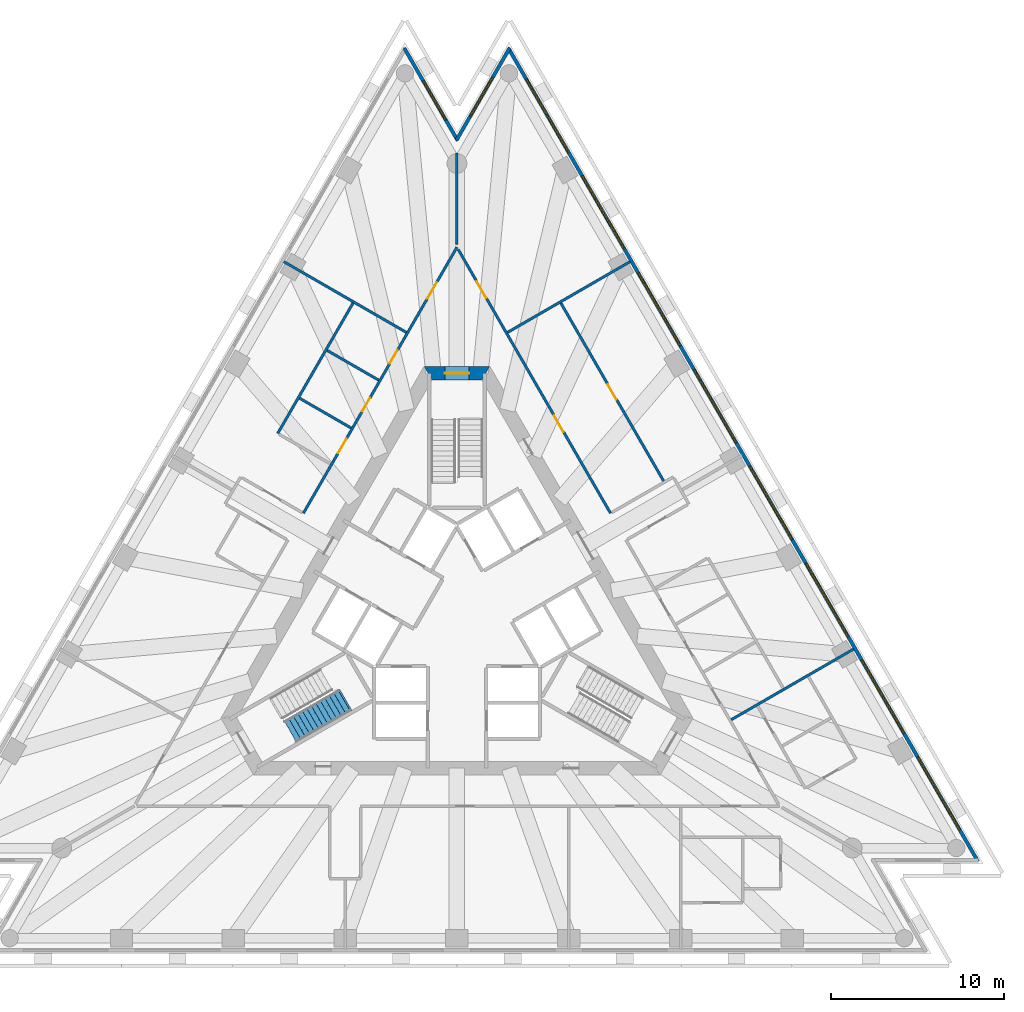
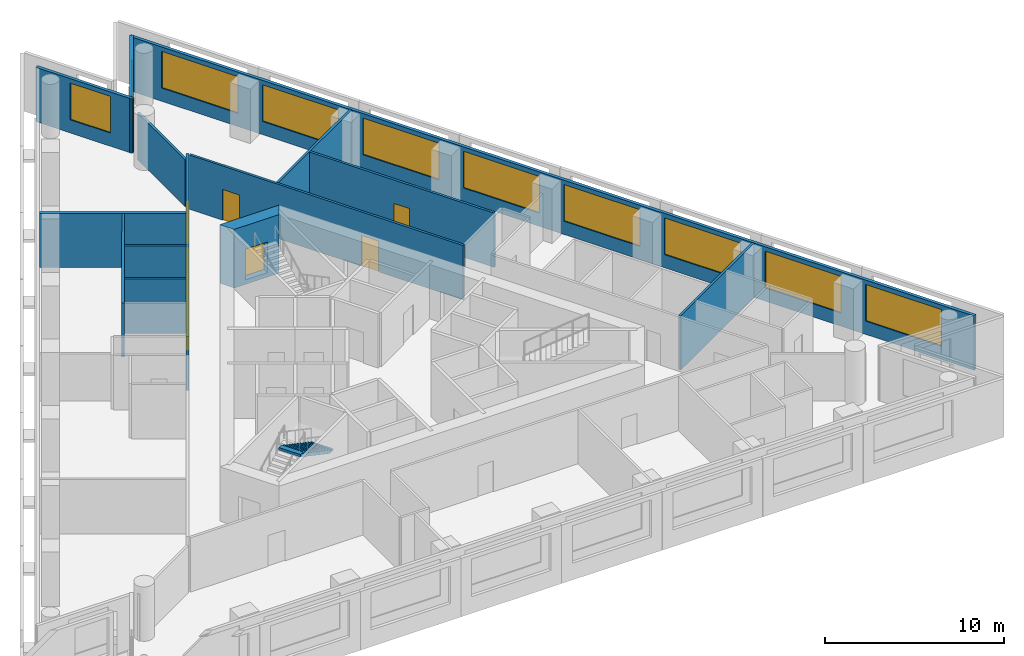
# One storey, part 6 of 9: 14 walls, 10 windows, 8 doors, 1 stair flight, 18 openings, 1 element without a shape of its own.
"""IFC4 building model written with IfcOpenShell, lengths in metres."""

import ifcopenshell
import ifcopenshell.guid

model = None  # the IFC model being written
_history = None  # IfcOwnerHistory: only IFC2X3 demands one
_inside = {}  # id of a spatial element -> (the spatial element, [elements in it])
_under = {}  # id of a project, library or spatial element -> (it, [spatial elements below it])
_declared = {}  # id of a project -> (the project, [libraries it declares])
_typed = {}  # id of a type object -> (the type object, [elements of that type])
_made_of = {}  # id of a material, layer set ... -> (it, [elements and type objects made of it])


def new_model(schema):
    """Start an empty IFC model of exactly this schema.

    Asked for "IFC4X3", IfcOpenShell would pick the latest addendum, in which some entities
    have other attributes; the version numbers below select the first issue.
    IFC2X3 requires an IfcOwnerHistory on every rooted entity: one is made here for all.
    """
    global model, _history
    if schema == "IFC4X3":
        model = ifcopenshell.file(schema_version=(4, 3, 0, 0))
    else:
        model = ifcopenshell.file(schema=schema)
    _inside.clear()
    _under.clear()
    _declared.clear()
    _typed.clear()
    _made_of.clear()
    _history = None
    if model.schema == "IFC2X3":
        org = make("IfcOrganization", Name="unknown")
        user = make(
            "IfcPersonAndOrganization",
            ThePerson=make("IfcPerson", FamilyName="unknown"),
            TheOrganization=org,
        )
        app = make(
            "IfcApplication",
            ApplicationDeveloper=org,
            Version="unknown",
            ApplicationFullName="unknown",
            ApplicationIdentifier="unknown",
        )
        _history = make(
            "IfcOwnerHistory",
            OwningUser=user,
            OwningApplication=app,
            ChangeAction="ADDED",
            CreationDate=0,
        )
    return model


def make(cls, **values):
    """One entity of the class cls with the attributes given. An attribute that is None is left unset."""
    return model.create_entity(
        cls, **{name: value for name, value in values.items() if value is not None}
    )


def rooted(cls, **values):
    """An entity with a GlobalId (a new one), such as an element, a storey or a relation."""
    return make(cls, GlobalId=ifcopenshell.guid.new(), OwnerHistory=_history, **values)


def si_unit(unit_type, name, prefix=None):
    """IfcSIUnit, for example si_unit("LENGTHUNIT", "METRE", prefix="MILLI")."""
    return make("IfcSIUnit", UnitType=unit_type, Prefix=prefix, Name=name)


def assignment(units):
    """IfcUnitAssignment: the units of a project."""
    return None if units is None else make("IfcUnitAssignment", Units=units)


def point(xyz):
    """IfcCartesianPoint."""
    return None if xyz is None else make("IfcCartesianPoint", Coordinates=xyz)


def direction(xyz):
    """IfcDirection."""
    return None if xyz is None else make("IfcDirection", DirectionRatios=xyz)


def frame(location, z_axis=None, x_axis=None):
    """IfcAxis2Placement3D, a coordinate frame: its origin and axes. An axis left out is left unset."""
    return make(
        "IfcAxis2Placement3D",
        Location=point(location),
        Axis=direction(z_axis),
        RefDirection=direction(x_axis),
    )


def frame_2d(location, x_axis=None):
    """IfcAxis2Placement2D, a coordinate frame in the plane: its origin and x axis."""
    return make(
        "IfcAxis2Placement2D", Location=point(location), RefDirection=direction(x_axis)
    )


def origin():
    """The frame at (0, 0, 0) with its axes left unset."""
    return frame((0.0, 0.0, 0.0))


def place(relative_to, where):
    """IfcLocalPlacement: puts the frame where relative to a parent placement (None: the world)."""
    return make(
        "IfcLocalPlacement", PlacementRelTo=relative_to, RelativePlacement=where
    )


def context(
    kind, dimensions, precision=None, world=None, true_north=None, identifier=None
):
    """IfcGeometricRepresentationContext, for example the 3D "Model" context."""
    return make(
        "IfcGeometricRepresentationContext",
        ContextIdentifier=identifier,
        ContextType=kind,
        CoordinateSpaceDimension=dimensions,
        Precision=precision,
        WorldCoordinateSystem=world,
        TrueNorth=true_north,
    )


def subcontext(parent, identifier, kind, view, scale=None):
    """IfcGeometricRepresentationSubContext, for example "Body" below "Model"."""
    return make(
        "IfcGeometricRepresentationSubContext",
        ContextIdentifier=identifier,
        ContextType=kind,
        ParentContext=parent,
        TargetScale=scale,
        TargetView=view,
    )


def project(units=None, contexts=None):
    """IfcProject with its units and contexts."""
    return rooted(
        "IfcProject",
        Name="project",
        RepresentationContexts=contexts,
        UnitsInContext=assignment(units),
    )


def spatial(cls, under=None, at=None, **own):
    """A site, building, storey or space (cls), placed at a placement, below another one or the project."""
    s = rooted(cls, ObjectPlacement=at, **own)
    if under is not None:
        _under.setdefault(under.id(), (under, []))[1].append(s)
    return s


def polyline(points):
    """IfcPolyline through the points."""
    return make("IfcPolyline", Points=[point(p) for p in points])


def profile(cls, at=None, kind="AREA", **sizes):
    """A parametric profile (cls). Its sizes go by their IFC names, for example OverallWidth=200.0."""
    return make(cls, ProfileType=kind, Position=at, **sizes)


def rectangle(**sizes):
    """IfcRectangleProfileDef."""
    return profile("IfcRectangleProfileDef", **sizes)


def outline(outer, holes=None, kind="AREA"):
    """IfcArbitraryClosedProfileDef: a profile drawn as a closed curve; with holes, ...WithVoids."""
    if holes is None:
        return make("IfcArbitraryClosedProfileDef", ProfileType=kind, OuterCurve=outer)
    return make(
        "IfcArbitraryProfileDefWithVoids",
        ProfileType=kind,
        OuterCurve=outer,
        InnerCurves=holes,
    )


def extrude(swept, where, along, depth):
    """IfcExtrudedAreaSolid: the profile swept, set in the frame where, extruded along a direction by depth."""
    return make(
        "IfcExtrudedAreaSolid",
        SweptArea=swept,
        Position=where,
        ExtrudedDirection=direction(along),
        Depth=depth,
    )


def shape(context_of_items, identifier, shape_type, items):
    """IfcShapeRepresentation: the items that make up one representation, for example the "Body"."""
    return make(
        "IfcShapeRepresentation",
        ContextOfItems=context_of_items,
        RepresentationIdentifier=identifier,
        RepresentationType=shape_type,
        Items=items,
    )


def material(Name=None, Category=None):
    """IfcMaterial."""
    return make("IfcMaterial", Name=Name, Category=Category)


def layer(
    of_material, thickness, ventilated=None, Name=None, Category=None, Priority=None
):
    """IfcMaterialLayer: one layer of a wall or slab, of a material (None: an air gap)."""
    return make(
        "IfcMaterialLayer",
        Material=of_material,
        LayerThickness=thickness,
        IsVentilated=ventilated,
        Name=Name,
        Category=Category,
        Priority=Priority,
    )


def layer_set(layers, Name=None):
    """IfcMaterialLayerSet."""
    return make("IfcMaterialLayerSet", MaterialLayers=layers, LayerSetName=Name)


def layer_usage(for_layer_set, set_direction, sense, offset, extent=None):
    """IfcMaterialLayerSetUsage: how a layer set lies in its element."""
    return make(
        "IfcMaterialLayerSetUsage",
        ForLayerSet=for_layer_set,
        LayerSetDirection=set_direction,
        DirectionSense=sense,
        OffsetFromReferenceLine=offset,
        ReferenceExtent=extent,
    )


def made_of(thing, what):
    """Note that an element or type object is made of a material, layer set ...; save() writes the relation."""
    if what is not None:
        _made_of.setdefault(what.id(), (what, []))[1].append(thing)
    return thing


def type_object(cls, material=None, **own):
    """A type object (cls), such as IfcWallType, which elements share."""
    return made_of(rooted(cls, **own), material)


def element(
    cls,
    number,
    at=None,
    inside=None,
    cuts=None,
    type_object=None,
    material=None,
    context=None,
    identifier="Body",
    shape_type=None,
    held_by="IfcProductDefinitionShape",
    body=None,
    shapes=None,
    **own,
):
    """One element of the class cls, such as IfcWall. Its Tag is "e" and its number.

    at: its placement. inside: the storey or other place that contains it. cuts: it is an
    opening in that element (IfcRelVoidsElement). A single representation is given by context,
    identifier, shape_type and body (its items); several are given by shapes. held_by: the class
    of the entity that holds the representations. save() writes the other relations.
    """
    e = rooted(cls, Tag="e%d" % number, ObjectPlacement=at, **own)
    if body is not None:
        shapes = [shape(context, identifier, shape_type, body)]
    if shapes is not None:
        e.Representation = make(held_by, Representations=shapes)
    if inside is not None:
        _inside.setdefault(inside.id(), (inside, []))[1].append(e)
    if cuts is not None:
        rooted(
            "IfcRelVoidsElement", RelatingBuildingElement=cuts, RelatedOpeningElement=e
        )
    if type_object is not None:
        _typed.setdefault(type_object.id(), (type_object, []))[1].append(e)
    return made_of(e, material)


def fill(opening, filler):
    """IfcRelFillsElement: the door or window that sits in an opening."""
    return rooted(
        "IfcRelFillsElement",
        RelatingOpeningElement=opening,
        RelatedBuildingElement=filler,
    )


def aggregate(whole, parts):
    """IfcRelAggregates: a whole, such as a stair, and the parts it consists of."""
    return rooted("IfcRelAggregates", RelatingObject=whole, RelatedObjects=parts)


def save(model, path):
    """Write the relations noted so far, then the file.

    IfcRelAggregates (storeys below a building ...), IfcRelContainedInSpatialStructure (elements
    in a storey), IfcRelDefinesByType, IfcRelAssociatesMaterial and IfcRelDeclares: one each for
    every whole, place, type object, material and project.
    """
    for whole, parts in _under.values():
        aggregate(whole, parts)
    for where, things in _inside.values():
        rooted(
            "IfcRelContainedInSpatialStructure",
            RelatedElements=things,
            RelatingStructure=where,
        )
    for kind, things in _typed.values():
        rooted("IfcRelDefinesByType", RelatedObjects=things, RelatingType=kind)
    for what, things in _made_of.values():
        rooted("IfcRelAssociatesMaterial", RelatedObjects=things, RelatingMaterial=what)
    for by, libraries in _declared.values():
        rooted("IfcRelDeclares", RelatingContext=by, RelatedDefinitions=libraries)
    model.write(path)


model = new_model("IFC4")

# Units and contexts
model_context = context("Model", 3, precision=1e-05, world=origin(), true_north=direction((0.0, 1.0)))
body_context = subcontext(model_context, "Body", "Model", "MODEL_VIEW")
ifc_project = project(units=[si_unit("LENGTHUNIT", "METRE"), si_unit("AREAUNIT", "SQUARE_METRE"), si_unit("VOLUMEUNIT", "CUBIC_METRE"), si_unit("PLANEANGLEUNIT", "RADIAN"), si_unit("MASSUNIT", "GRAM", prefix="KILO")], contexts=[model_context])

# Site, building, storey
site_placement = place(None, origin())
site = spatial("IfcSite", under=ifc_project, at=site_placement, CompositionType="ELEMENT")
building_placement = place(site_placement, origin())
building = spatial("IfcBuilding", under=site, at=building_placement, Name="Triada Interchange Tower", CompositionType="ELEMENT")
storey_placement = place(building_placement, frame((0.0, 0.0, 168.300048828125)))
storey = spatial("IfcBuildingStorey", under=building, at=storey_placement, Name="L39", CompositionType="ELEMENT", Elevation=168.300048828125)

# Wall, opening, door
ifc_material_1 = material(Name="Concrete C60/75", Category="concrete")
ifc_layer_1 = layer(ifc_material_1, 0.800048828125)
ifc_layer_set_1 = layer_set([ifc_layer_1], Name="Core wall B 800")
wall_type_1 = type_object("IfcWallType", Name="Core wall B 800", PredefinedType="SHEAR", material=ifc_layer_set_1)
wall_1_placement = place(storey_placement, frame((1.674072265625, 14.300048828125, -0.300048828125), z_axis=(0.0, 0.0, 1.0), x_axis=(-1.0, 0.0, 0.0)))
wall_1 = element("IfcWall", 1, at=wall_1_placement, inside=storey, type_object=wall_type_1, Name="Core wall WB01 L39", PredefinedType="SHEAR", context=body_context, shape_type="SweptSolid", body=[
    extrude(outline(polyline([(-0.23095703125, -0.39990234375), (1.674072265625, -0.39990234375), (3.5791015625, -0.39990234375), (3.116943359375, 0.39990234375), (1.673828125, 0.39990234375), (0.23095703125, 0.39990234375), (-0.23095703125, -0.39990234375)])), origin(), (0.0, 0.0, 1.0), 4.0),
])
opening_1_placement = place(wall_1_placement, frame((0.97412109375, 0.0, 0.300048828125)))
opening_1 = element("IfcOpeningElement", 2, at=opening_1_placement, cuts=wall_1, Name="Opening D38-36", PredefinedType="OPENING", context=body_context, shape_type="SweptSolid", body=[
    extrude(rectangle(XDim=1.39990234375, YDim=2.10009765625, at=frame_2d((0.699951171875, 1.050048828125))), frame((0.0, 0.409912109375, 0.0), z_axis=(0.0, -1.0, 0.0), x_axis=(1.0, 0.0, 0.0)), (0.0, 0.0, 1.0), 0.820068359375),
])
ifc_material_2 = material(Name="Steel S235 door leaf", Category="steel")
door_type_1 = type_object("IfcDoorType", Name="STAIR DOOR 1400 EI2 90-C5S200", OperationType="DOUBLE_DOOR_SINGLE_SWING", PredefinedType="DOOR", material=ifc_material_2)
door_1_placement = place(opening_1_placement, origin())
door_1 = element("IfcDoor", 3, at=door_1_placement, inside=storey, type_object=door_type_1, Name="Door D38-36 L39", OperationType="DOUBLE_DOOR_SINGLE_SWING", OverallHeight=2.10009765625, OverallWidth=1.39990234375, PredefinedType="DOOR", context=body_context, shape_type="SweptSolid", body=[
    extrude(rectangle(XDim=1.39990234375, YDim=2.10009765625, at=frame_2d((0.699951171875, 1.050048828125))), frame((0.0, 0.02490234375, 0.0), z_axis=(0.0, -1.0, 0.0), x_axis=(1.0, 0.0, 0.0)), (0.0, 0.0, 1.0), 0.050048828125),
])
fill(opening_1, door_1)

# Wall, openings, windows
ifc_material_3 = material(Name="Cement board")
ifc_layer_2 = layer(ifc_material_3, 0.02001953125, Name="Cement board cladding")
ifc_material_4 = material(Name="Sheathing board")
ifc_layer_3 = layer(ifc_material_4, 0.014892578125, Name="Sheathing board")
ifc_material_5 = material(Name="Mineral wool")
ifc_layer_4 = layer(ifc_material_5, 0.14990234375, Name="Mineral wool between steel studs")
ifc_material_6 = material(Name="Gypsum board")
ifc_layer_5 = layer(ifc_material_6, 0.014892578125, Name="Plasterboard lining")
ifc_layer_set_2 = layer_set([ifc_layer_2, ifc_layer_3, ifc_layer_4, ifc_layer_5], Name="External wall 200")
ifc_layer_usage = layer_usage(ifc_layer_set_2, "AXIS2", "POSITIVE", -0.10009765625)
wall_type_2 = type_object("IfcWallType", Name="External wall 200", PredefinedType="ELEMENTEDWALL", material=ifc_layer_set_2)
wall_2_placement = place(storey_placement, frame((30.2041015625, -14.006103515625, 0.0), z_axis=(0.0, 0.0, 1.0), x_axis=(-0.500008017777, 0.866020774669, 0.0)))
wall_2 = element("IfcWall", 4, at=wall_2_placement, inside=storey, type_object=wall_type_2, material=ifc_layer_usage, Name="External wall L39 NE", PredefinedType="ELEMENTEDWALL", context=body_context, shape_type="SweptSolid", body=[
    extrude(rectangle(XDim=54.443359375, YDim=0.199951171875, at=frame_2d((27.2216796875, 0.0))), origin(), (0.0, 0.0, 1.0), 3.699951171875),
])
opening_2_placement = place(wall_2_placement, frame((2.093994140625, 0.0, 0.89990234375)))
opening_2 = element("IfcOpeningElement", 5, at=opening_2_placement, cuts=wall_2, Name="Opening WB21", PredefinedType="OPENING", context=body_context, shape_type="SweptSolid", body=[
    extrude(rectangle(XDim=4.89990234375, YDim=2.5, at=frame_2d((2.449951171875, 1.25))), frame((0.0, 0.10986328125, 0.0), z_axis=(0.0, -1.0, 0.0), x_axis=(1.0, 0.0, 0.0)), (0.0, 0.0, 1.0), 0.219970703125),
])
opening_3_placement = place(wall_2_placement, frame((8.575927734375, 0.0, 0.89990234375)))
opening_3 = element("IfcOpeningElement", 6, at=opening_3_placement, cuts=wall_2, Name="Opening WB22", PredefinedType="OPENING", context=body_context, shape_type="SweptSolid", body=[
    extrude(rectangle(XDim=4.89990234375, YDim=2.5, at=frame_2d((2.449951171875, 1.25))), frame((0.0, 0.10986328125, 0.0), z_axis=(0.0, -1.0, 0.0), x_axis=(1.0, 0.0, 0.0)), (0.0, 0.0, 1.0), 0.219970703125),
])
opening_4_placement = place(wall_2_placement, frame((15.05810546875, 0.0, 0.89990234375)))
opening_4 = element("IfcOpeningElement", 7, at=opening_4_placement, cuts=wall_2, Name="Opening WB23", PredefinedType="OPENING", context=body_context, shape_type="SweptSolid", body=[
    extrude(rectangle(XDim=4.89990234375, YDim=2.5, at=frame_2d((2.449951171875, 1.25))), frame((0.0, 0.10986328125, 0.0), z_axis=(0.0, -1.0, 0.0), x_axis=(1.0, 0.0, 0.0)), (0.0, 0.0, 1.0), 0.219970703125),
])
opening_5_placement = place(wall_2_placement, frame((21.5400390625, 0.0, 0.89990234375)))
opening_5 = element("IfcOpeningElement", 8, at=opening_5_placement, cuts=wall_2, Name="Opening WB24", PredefinedType="OPENING", context=body_context, shape_type="SweptSolid", body=[
    extrude(rectangle(XDim=4.89990234375, YDim=2.5, at=frame_2d((2.449951171875, 1.25))), frame((0.0, 0.10986328125, 0.0), z_axis=(0.0, -1.0, 0.0), x_axis=(1.0, 0.0, 0.0)), (0.0, 0.0, 1.0), 0.219970703125),
])
opening_6_placement = place(wall_2_placement, frame((28.02294921875, 0.0, 0.89990234375)))
opening_6 = element("IfcOpeningElement", 9, at=opening_6_placement, cuts=wall_2, Name="Opening WB25", PredefinedType="OPENING", context=body_context, shape_type="SweptSolid", body=[
    extrude(rectangle(XDim=4.89990234375, YDim=2.5, at=frame_2d((2.449951171875, 1.25))), frame((0.0, 0.10986328125, 0.0), z_axis=(0.0, -1.0, 0.0), x_axis=(1.0, 0.0, 0.0)), (0.0, 0.0, 1.0), 0.219970703125),
])
opening_7_placement = place(wall_2_placement, frame((34.5048828125, 0.0, 0.89990234375)))
opening_7 = element("IfcOpeningElement", 10, at=opening_7_placement, cuts=wall_2, Name="Opening WB26", PredefinedType="OPENING", context=body_context, shape_type="SweptSolid", body=[
    extrude(rectangle(XDim=4.89990234375, YDim=2.5, at=frame_2d((2.449951171875, 1.25))), frame((0.0, 0.10986328125, 0.0), z_axis=(0.0, -1.0, 0.0), x_axis=(1.0, 0.0, 0.0)), (0.0, 0.0, 1.0), 0.219970703125),
])
opening_8_placement = place(wall_2_placement, frame((40.987060546875, 0.0, 0.89990234375)))
opening_8 = element("IfcOpeningElement", 11, at=opening_8_placement, cuts=wall_2, Name="Opening WB27", PredefinedType="OPENING", context=body_context, shape_type="SweptSolid", body=[
    extrude(rectangle(XDim=4.89990234375, YDim=2.5, at=frame_2d((2.449951171875, 1.25))), frame((0.0, 0.10986328125, 0.0), z_axis=(0.0, -1.0, 0.0), x_axis=(1.0, 0.0, 0.0)), (0.0, 0.0, 1.0), 0.219970703125),
])
opening_9_placement = place(wall_2_placement, frame((47.468994140625, 0.0, 0.89990234375)))
opening_9 = element("IfcOpeningElement", 12, at=opening_9_placement, cuts=wall_2, Name="Opening WB28", PredefinedType="OPENING", context=body_context, shape_type="SweptSolid", body=[
    extrude(rectangle(XDim=4.89990234375, YDim=2.5, at=frame_2d((2.449951171875, 1.25))), frame((0.0, 0.10986328125, 0.0), z_axis=(0.0, -1.0, 0.0), x_axis=(1.0, 0.0, 0.0)), (0.0, 0.0, 1.0), 0.219970703125),
])
ifc_material_7 = material(Name="Double glazed aluminium window", Category="aluminium")
window_type_1 = type_object("IfcWindowType", Name="Ribbon window B face", PartitioningType="SINGLE_PANEL", PredefinedType="WINDOW", material=ifc_material_7)
window_1_placement = place(opening_2_placement, origin())
window_1 = element("IfcWindow", 13, at=window_1_placement, inside=storey, type_object=window_type_1, Name="Window L39 NE 1", OverallHeight=2.5, OverallWidth=4.89990234375, PartitioningType="SINGLE_PANEL", PredefinedType="WINDOW", context=body_context, shape_type="SweptSolid", body=[
    extrude(rectangle(XDim=4.89990234375, YDim=2.5, at=frame_2d((2.449951171875, 1.25))), frame((0.0, 0.030029296875, 0.0), z_axis=(0.0, -1.0, 0.0), x_axis=(1.0, 0.0, 0.0)), (0.0, 0.0, 1.0), 0.06005859375),
])
fill(opening_2, window_1)
window_2_placement = place(opening_3_placement, origin())
window_2 = element("IfcWindow", 14, at=window_2_placement, inside=storey, type_object=window_type_1, Name="Window L39 NE 2", OverallHeight=2.5, OverallWidth=4.89990234375, PartitioningType="SINGLE_PANEL", PredefinedType="WINDOW", context=body_context, shape_type="SweptSolid", body=[
    extrude(rectangle(XDim=4.89990234375, YDim=2.5, at=frame_2d((2.449951171875, 1.25))), frame((0.0, 0.030029296875, 0.0), z_axis=(0.0, -1.0, 0.0), x_axis=(1.0, 0.0, 0.0)), (0.0, 0.0, 1.0), 0.06005859375),
])
fill(opening_3, window_2)
window_3_placement = place(opening_4_placement, origin())
window_3 = element("IfcWindow", 15, at=window_3_placement, inside=storey, type_object=window_type_1, Name="Window L39 NE 3", OverallHeight=2.5, OverallWidth=4.89990234375, PartitioningType="SINGLE_PANEL", PredefinedType="WINDOW", context=body_context, shape_type="SweptSolid", body=[
    extrude(rectangle(XDim=4.89990234375, YDim=2.5, at=frame_2d((2.449951171875, 1.25))), frame((0.0, 0.030029296875, 0.0), z_axis=(0.0, -1.0, 0.0), x_axis=(1.0, 0.0, 0.0)), (0.0, 0.0, 1.0), 0.06005859375),
])
fill(opening_4, window_3)
window_4_placement = place(opening_5_placement, origin())
window_4 = element("IfcWindow", 16, at=window_4_placement, inside=storey, type_object=window_type_1, Name="Window L39 NE 4", OverallHeight=2.5, OverallWidth=4.89990234375, PartitioningType="SINGLE_PANEL", PredefinedType="WINDOW", context=body_context, shape_type="SweptSolid", body=[
    extrude(rectangle(XDim=4.89990234375, YDim=2.5, at=frame_2d((2.449951171875, 1.25))), frame((0.0, 0.030029296875, 0.0), z_axis=(0.0, -1.0, 0.0), x_axis=(1.0, 0.0, 0.0)), (0.0, 0.0, 1.0), 0.06005859375),
])
fill(opening_5, window_4)
window_5_placement = place(opening_6_placement, origin())
window_5 = element("IfcWindow", 17, at=window_5_placement, inside=storey, type_object=window_type_1, Name="Window L39 NE 5", OverallHeight=2.5, OverallWidth=4.89990234375, PartitioningType="SINGLE_PANEL", PredefinedType="WINDOW", context=body_context, shape_type="SweptSolid", body=[
    extrude(rectangle(XDim=4.89990234375, YDim=2.5, at=frame_2d((2.449951171875, 1.25))), frame((0.0, 0.030029296875, 0.0), z_axis=(0.0, -1.0, 0.0), x_axis=(1.0, 0.0, 0.0)), (0.0, 0.0, 1.0), 0.06005859375),
])
fill(opening_6, window_5)
window_6_placement = place(opening_7_placement, origin())
window_6 = element("IfcWindow", 18, at=window_6_placement, inside=storey, type_object=window_type_1, Name="Window L39 NE 6", OverallHeight=2.5, OverallWidth=4.89990234375, PartitioningType="SINGLE_PANEL", PredefinedType="WINDOW", context=body_context, shape_type="SweptSolid", body=[
    extrude(rectangle(XDim=4.89990234375, YDim=2.5, at=frame_2d((2.449951171875, 1.25))), frame((0.0, 0.030029296875, 0.0), z_axis=(0.0, -1.0, 0.0), x_axis=(1.0, 0.0, 0.0)), (0.0, 0.0, 1.0), 0.06005859375),
])
fill(opening_7, window_6)
window_7_placement = place(opening_8_placement, origin())
window_7 = element("IfcWindow", 19, at=window_7_placement, inside=storey, type_object=window_type_1, Name="Window L39 NE 7", OverallHeight=2.5, OverallWidth=4.89990234375, PartitioningType="SINGLE_PANEL", PredefinedType="WINDOW", context=body_context, shape_type="SweptSolid", body=[
    extrude(rectangle(XDim=4.89990234375, YDim=2.5, at=frame_2d((2.449951171875, 1.25))), frame((0.0, 0.030029296875, 0.0), z_axis=(0.0, -1.0, 0.0), x_axis=(1.0, 0.0, 0.0)), (0.0, 0.0, 1.0), 0.06005859375),
])
fill(opening_8, window_7)
window_8_placement = place(opening_9_placement, origin())
window_8 = element("IfcWindow", 20, at=window_8_placement, inside=storey, type_object=window_type_1, Name="Window L39 NE 8", OverallHeight=2.5, OverallWidth=4.89990234375, PartitioningType="SINGLE_PANEL", PredefinedType="WINDOW", context=body_context, shape_type="SweptSolid", body=[
    extrude(rectangle(XDim=4.89990234375, YDim=2.5, at=frame_2d((2.449951171875, 1.25))), frame((0.0, 0.030029296875, 0.0), z_axis=(0.0, -1.0, 0.0), x_axis=(1.0, 0.0, 0.0)), (0.0, 0.0, 1.0), 0.06005859375),
])
fill(opening_9, window_8)

# Wall, opening, window
wall_3_placement = place(storey_placement, frame((3.06201171875, 33.159912109375, 0.0), z_axis=(0.0, 0.0, 1.0), x_axis=(-0.50000110078, -0.866024768248, 0.0)))
wall_3 = element("IfcWall", 21, at=wall_3_placement, inside=storey, type_object=wall_type_2, material=ifc_layer_usage, Name="External wall L39 N-1", PredefinedType="ELEMENTEDWALL", context=body_context, shape_type="SweptSolid", body=[
    extrude(rectangle(XDim=6.19384765625, YDim=0.199951171875, at=frame_2d((3.096923828125, 0.0))), origin(), (0.0, 0.0, 1.0), 3.699951171875),
])
opening_10_placement = place(wall_3_placement, frame((1.989990234375, 0.0, 0.89990234375)))
opening_10 = element("IfcOpeningElement", 22, at=opening_10_placement, cuts=wall_3, Name="Opening WB29", PredefinedType="OPENING", context=body_context, shape_type="SweptSolid", body=[
    extrude(rectangle(XDim=2.60009765625, YDim=2.5, at=frame_2d((1.300048828125, 1.25))), frame((0.0, 0.10986328125, 0.0), z_axis=(0.0, -1.0, 0.0), x_axis=(1.0, 0.0, 0.0)), (0.0, 0.0, 1.0), 0.219970703125),
])
window_type_2 = type_object("IfcWindowType", Name="Ribbon window B pocket", PartitioningType="SINGLE_PANEL", PredefinedType="WINDOW", material=ifc_material_7)
window_9_placement = place(opening_10_placement, origin())
window_9 = element("IfcWindow", 23, at=window_9_placement, inside=storey, type_object=window_type_2, Name="Window L39 N-1 1", OverallHeight=2.5, OverallWidth=2.60009765625, PartitioningType="SINGLE_PANEL", PredefinedType="WINDOW", context=body_context, shape_type="SweptSolid", body=[
    extrude(rectangle(XDim=2.60009765625, YDim=2.5, at=frame_2d((1.300048828125, 1.25))), frame((0.0, 0.030029296875, 0.0), z_axis=(0.0, -1.0, 0.0), x_axis=(1.0, 0.0, 0.0)), (0.0, 0.0, 1.0), 0.06005859375),
])
fill(opening_10, window_9)

wall_4_placement = place(storey_placement, frame((0.044921875, 27.779052734375, 0.0), z_axis=(0.0, 0.0, 1.0), x_axis=(-0.50000110078, 0.866024768248, 0.0)))
wall_4 = element("IfcWall", 24, at=wall_4_placement, inside=storey, type_object=wall_type_2, material=ifc_layer_usage, Name="External wall L39 N-2", PredefinedType="ELEMENTEDWALL", context=body_context, shape_type="SweptSolid", body=[
    extrude(rectangle(XDim=6.19384765625, YDim=0.199951171875, at=frame_2d((3.096923828125, 0.0))), origin(), (0.0, 0.0, 1.0), 3.699951171875),
])
opening_11_placement = place(wall_4_placement, frame((1.389892578125, 0.0, 0.89990234375)))
opening_11 = element("IfcOpeningElement", 25, at=opening_11_placement, cuts=wall_4, Name="Opening WB30", PredefinedType="OPENING", context=body_context, shape_type="SweptSolid", body=[
    extrude(rectangle(XDim=2.60009765625, YDim=2.5, at=frame_2d((1.300048828125, 1.25))), frame((0.0, 0.10986328125, 0.0), z_axis=(0.0, -1.0, 0.0), x_axis=(1.0, 0.0, 0.0)), (0.0, 0.0, 1.0), 0.219970703125),
])
window_10_placement = place(opening_11_placement, origin())
window_10 = element("IfcWindow", 26, at=window_10_placement, inside=storey, type_object=window_type_2, Name="Window L39 N-2 1", OverallHeight=2.5, OverallWidth=2.60009765625, PartitioningType="SINGLE_PANEL", PredefinedType="WINDOW", context=body_context, shape_type="SweptSolid", body=[
    extrude(rectangle(XDim=2.60009765625, YDim=2.5, at=frame_2d((1.300048828125, 1.25))), frame((0.0, 0.030029296875, 0.0), z_axis=(0.0, -1.0, 0.0), x_axis=(1.0, 0.0, 0.0)), (0.0, 0.0, 1.0), 0.06005859375),
])
fill(opening_11, window_10)

# Wall, openings, doors
ifc_material_8 = material(Name="Gypsum board partition")
ifc_layer_6 = layer(ifc_material_8, 0.14990234375)
ifc_layer_set_3 = layer_set([ifc_layer_6], Name="PARTITION 150 EI 180")
wall_type_3 = type_object("IfcWallType", Name="PARTITION 150 EI 180", PredefinedType="PARTITIONING", material=ifc_layer_set_3)
wall_5_placement = place(storey_placement, frame((-8.903076171875, 6.179931640625, 0.0), z_axis=(0.0, 0.0, 1.0), x_axis=(0.500010074151, 0.866019587393, 0.0)))
wall_5 = element("IfcWall", 27, at=wall_5_placement, inside=storey, type_object=wall_type_3, Name="Wall L38 9", PredefinedType="PARTITIONING", context=body_context, shape_type="SweptSolid", body=[
    extrude(rectangle(XDim=17.805908203125, YDim=0.14990234375, at=frame_2d((8.90283203125, 0.0))), origin(), (0.0, 0.0, 1.0), 3.699951171875),
])
opening_12_placement = place(wall_5_placement, frame((14.35595703125, 0.0, 0.0)))
opening_12 = element("IfcOpeningElement", 28, at=opening_12_placement, cuts=wall_5, Name="Opening D38-27", PredefinedType="OPENING", context=body_context, shape_type="SweptSolid", body=[
    extrude(rectangle(XDim=1.10009765625, YDim=2.10009765625, at=frame_2d((0.550048828125, 1.050048828125))), frame((0.0, 0.0849609375, 0.0), z_axis=(0.0, -1.0, 0.0), x_axis=(1.0, 0.0, 0.0)), (0.0, 0.0, 1.0), 0.169921875),
])
opening_13_placement = place(wall_5_placement, frame((10.013916015625, 0.0, 0.0)))
opening_13 = element("IfcOpeningElement", 29, at=opening_13_placement, cuts=wall_5, Name="Opening D38-29", PredefinedType="OPENING", context=body_context, shape_type="SweptSolid", body=[
    extrude(rectangle(XDim=0.89990234375, YDim=2.10009765625, at=frame_2d((0.449951171875, 1.050048828125))), frame((0.0, 0.0849609375, 0.0), z_axis=(0.0, -1.0, 0.0), x_axis=(1.0, 0.0, 0.0)), (0.0, 0.0, 1.0), 0.169921875),
])
opening_14_placement = place(wall_5_placement, frame((6.81396484375, 0.0, 0.0)))
opening_14 = element("IfcOpeningElement", 30, at=opening_14_placement, cuts=wall_5, Name="Opening D38-30", PredefinedType="OPENING", context=body_context, shape_type="SweptSolid", body=[
    extrude(rectangle(XDim=0.89990234375, YDim=2.10009765625, at=frame_2d((0.449951171875, 1.050048828125))), frame((0.0, 0.0849609375, 0.0), z_axis=(0.0, -1.0, 0.0), x_axis=(1.0, 0.0, 0.0)), (0.0, 0.0, 1.0), 0.169921875),
])
opening_15_placement = place(wall_5_placement, frame((4.013916015625, 0.0, 0.0)))
opening_15 = element("IfcOpeningElement", 31, at=opening_15_placement, cuts=wall_5, Name="Opening D38-31", PredefinedType="OPENING", context=body_context, shape_type="SweptSolid", body=[
    extrude(rectangle(XDim=1.0, YDim=2.10009765625, at=frame_2d((0.5, 1.050048828125))), frame((0.0, 0.0849609375, 0.0), z_axis=(0.0, -1.0, 0.0), x_axis=(1.0, 0.0, 0.0)), (0.0, 0.0, 1.0), 0.169921875),
])
door_type_2 = type_object("IfcDoorType", Name="ROOM DOOR 1000 EI2 90-C5S200", OperationType="NOTDEFINED", PredefinedType="DOOR", material=ifc_material_2)
door_2_placement = place(opening_15_placement, origin())
door_2 = element("IfcDoor", 32, at=door_2_placement, inside=storey, type_object=door_type_2, Name="Door D38-31 L39", OperationType="SINGLE_SWING_LEFT", OverallHeight=2.10009765625, OverallWidth=1.0, PredefinedType="DOOR", context=body_context, shape_type="SweptSolid", body=[
    extrude(rectangle(XDim=1.0, YDim=2.10009765625, at=frame_2d((0.5, 1.050048828125))), frame((0.0, 0.02490234375, 0.0), z_axis=(0.0, -1.0, 0.0), x_axis=(1.0, 0.0, 0.0)), (0.0, 0.0, 1.0), 0.050048828125),
])
fill(opening_15, door_2)
door_type_3 = type_object("IfcDoorType", Name="ROOM DOOR 900 EI2 90-C5S200", OperationType="NOTDEFINED", PredefinedType="DOOR", material=ifc_material_2)
door_3_placement = place(opening_13_placement, origin())
door_3 = element("IfcDoor", 33, at=door_3_placement, inside=storey, type_object=door_type_3, Name="Door D38-29 L39", OperationType="SINGLE_SWING_RIGHT", OverallHeight=2.10009765625, OverallWidth=0.89990234375, PredefinedType="DOOR", context=body_context, shape_type="SweptSolid", body=[
    extrude(rectangle(XDim=0.89990234375, YDim=2.10009765625, at=frame_2d((0.449951171875, 1.050048828125))), frame((0.0, 0.02490234375, 0.0), z_axis=(0.0, -1.0, 0.0), x_axis=(1.0, 0.0, 0.0)), (0.0, 0.0, 1.0), 0.050048828125),
])
fill(opening_13, door_3)
door_4_placement = place(opening_14_placement, origin())
door_4 = element("IfcDoor", 34, at=door_4_placement, inside=storey, type_object=door_type_3, Name="Door D38-30 L39", OperationType="SINGLE_SWING_RIGHT", OverallHeight=2.10009765625, OverallWidth=0.89990234375, PredefinedType="DOOR", context=body_context, shape_type="SweptSolid", body=[
    extrude(rectangle(XDim=0.89990234375, YDim=2.10009765625, at=frame_2d((0.449951171875, 1.050048828125))), frame((0.0, 0.02490234375, 0.0), z_axis=(0.0, -1.0, 0.0), x_axis=(1.0, 0.0, 0.0)), (0.0, 0.0, 1.0), 0.050048828125),
])
fill(opening_14, door_4)
door_type_4 = type_object("IfcDoorType", Name="TENANCY ENTRANCE DOOR 1100 EI2 90-C5S200", OperationType="NOTDEFINED", PredefinedType="DOOR", material=ifc_material_2)
door_5_placement = place(opening_12_placement, origin())
door_5 = element("IfcDoor", 35, at=door_5_placement, inside=storey, type_object=door_type_4, Name="Door D38-27 L39", OperationType="SINGLE_SWING_RIGHT", OverallHeight=2.10009765625, OverallWidth=1.10009765625, PredefinedType="DOOR", context=body_context, shape_type="SweptSolid", body=[
    extrude(rectangle(XDim=1.10009765625, YDim=2.10009765625, at=frame_2d((0.550048828125, 1.050048828125))), frame((0.0, 0.02490234375, 0.0), z_axis=(0.0, -1.0, 0.0), x_axis=(1.0, 0.0, 0.0)), (0.0, 0.0, 1.0), 0.050048828125),
])
fill(opening_12, door_5)

# Walls
wall_6_placement = place(storey_placement, frame((-10.035888671875, 20.763916015625, 0.0), z_axis=(0.0, 0.0, 1.0), x_axis=(0.866037308103, -0.499979380549, 0.0)))
element("IfcWall", 36, at=wall_6_placement, inside=storey, type_object=wall_type_3, Name="Wall L38 17", PredefinedType="PARTITIONING", context=body_context, shape_type="SweptSolid", body=[
    extrude(rectangle(XDim=8.197998046875, YDim=0.14990234375, at=frame_2d((4.09912109375, 0.0))), origin(), (0.0, 0.0, 1.0), 3.699951171875),
])
wall_7_placement = place(storey_placement, frame((-10.388916015625, 10.805908203125, 0.0), z_axis=(0.0, 0.0, 1.0), x_axis=(0.500042162787, 0.86600105972, 0.0)))
element("IfcWall", 37, at=wall_7_placement, inside=storey, type_object=wall_type_3, Name="Wall L38 18", PredefinedType="PARTITIONING", context=body_context, shape_type="SweptSolid", body=[
    extrude(rectangle(XDim=8.725341796875, YDim=0.14990234375, at=frame_2d((4.36279296875, 0.0))), origin(), (0.0, 0.0, 1.0), 3.699951171875),
])
for number, where, z_axis, x_axis, name in (
    (38, (-9.1240234375, 12.846923828125, 0.0), (0.0, 0.0, 1.0), (0.866061862632, -0.499936846106, 0.0), "Wall L38 20"),
    (39, (-7.52392578125, 15.618896484375, 0.0), (0.0, 0.0, 1.0), (0.866061862632, -0.499936846106, 0.0), "Wall L38 21"),
):
    element("IfcWall", number, at=place(storey_placement, frame(where, z_axis=z_axis, x_axis=x_axis)), inside=storey, type_object=wall_type_3, Name=name, PredefinedType="PARTITIONING", context=body_context, shape_type="SweptSolid", body=[
        extrude(rectangle(XDim=3.4501953125, YDim=0.14990234375, at=frame_2d((1.72509765625, 0.0))), origin(), (0.0, 0.0, 1.0), 3.699951171875),
    ])
wall_8_placement = place(storey_placement, frame((0.0, 21.75, 0.0), z_axis=(0.0, 0.0, 1.0), x_axis=(0.0, 1.0, 0.0)))
element("IfcWall", 40, at=wall_8_placement, inside=storey, type_object=wall_type_3, Name="Wall L38 24", PredefinedType="PARTITIONING", context=body_context, shape_type="SweptSolid", body=[
    extrude(rectangle(XDim=5.326904296875, YDim=0.14990234375, at=frame_2d((2.66357421875, 0.0))), origin(), (0.0, 0.0, 1.0), 3.199951171875),
])

# Wall, openings, doors
wall_9_placement = place(storey_placement, frame((0.075927734375, 21.468017578125, 0.0), z_axis=(0.0, 0.0, 1.0), x_axis=(0.500024127084, -0.866011473558, 0.0)))
wall_9 = element("IfcWall", 41, at=wall_9_placement, inside=storey, type_object=wall_type_3, Name="Wall L38 25", PredefinedType="PARTITIONING", context=body_context, shape_type="SweptSolid", body=[
    extrude(rectangle(XDim=17.653564453125, YDim=0.14990234375, at=frame_2d((8.82666015625, 0.0))), origin(), (0.0, 0.0, 1.0), 3.699951171875),
])
opening_16_placement = place(wall_9_placement, frame((11.10400390625, 0.0, 0.0)))
opening_16 = element("IfcOpeningElement", 42, at=opening_16_placement, cuts=wall_9, Name="Opening D38-24", PredefinedType="OPENING", context=body_context, shape_type="SweptSolid", body=[
    extrude(rectangle(XDim=1.10009765625, YDim=2.10009765625, at=frame_2d((0.550048828125, 1.050048828125))), frame((0.0, 0.0849609375, 0.0), z_axis=(0.0, -1.0, 0.0), x_axis=(1.0, 0.0, 0.0)), (0.0, 0.0, 1.0), 0.169921875),
])
opening_17_placement = place(wall_9_placement, frame((2.139892578125, 0.0, 0.0)))
opening_17 = element("IfcOpeningElement", 43, at=opening_17_placement, cuts=wall_9, Name="Opening D38-26", PredefinedType="OPENING", context=body_context, shape_type="SweptSolid", body=[
    extrude(rectangle(XDim=1.10009765625, YDim=2.10009765625, at=frame_2d((0.550048828125, 1.050048828125))), frame((0.0, 0.0849609375, 0.0), z_axis=(0.0, -1.0, 0.0), x_axis=(1.0, 0.0, 0.0)), (0.0, 0.0, 1.0), 0.169921875),
])
door_6_placement = place(opening_16_placement, origin())
door_6 = element("IfcDoor", 44, at=door_6_placement, inside=storey, type_object=door_type_4, Name="Door D38-24 L39", OperationType="SINGLE_SWING_LEFT", OverallHeight=2.10009765625, OverallWidth=1.10009765625, PredefinedType="DOOR", context=body_context, shape_type="SweptSolid", body=[
    extrude(rectangle(XDim=1.10009765625, YDim=2.10009765625, at=frame_2d((0.550048828125, 1.050048828125))), frame((0.0, 0.02490234375, 0.0), z_axis=(0.0, -1.0, 0.0), x_axis=(1.0, 0.0, 0.0)), (0.0, 0.0, 1.0), 0.050048828125),
])
fill(opening_16, door_6)
door_7_placement = place(opening_17_placement, origin())
door_7 = element("IfcDoor", 45, at=door_7_placement, inside=storey, type_object=door_type_4, Name="Door D38-26 L39", OperationType="SINGLE_SWING_LEFT", OverallHeight=2.10009765625, OverallWidth=1.10009765625, PredefinedType="DOOR", context=body_context, shape_type="SweptSolid", body=[
    extrude(rectangle(XDim=1.10009765625, YDim=2.10009765625, at=frame_2d((0.550048828125, 1.050048828125))), frame((0.0, 0.02490234375, 0.0), z_axis=(0.0, -1.0, 0.0), x_axis=(1.0, 0.0, 0.0)), (0.0, 0.0, 1.0), 0.050048828125),
])
fill(opening_17, door_7)

# Walls
wall_10_placement = place(storey_placement, frame((2.93603515625, 16.6650390625, 0.0), z_axis=(0.0, 0.0, 1.0), x_axis=(0.866037308103, 0.499979380549, 0.0)))
element("IfcWall", 46, at=wall_10_placement, inside=storey, type_object=wall_type_3, Name="Wall L38 27", PredefinedType="PARTITIONING", context=body_context, shape_type="SweptSolid", body=[
    extrude(rectangle(XDim=8.197998046875, YDim=0.14990234375, at=frame_2d((4.09912109375, 0.0))), origin(), (0.0, 0.0, 1.0), 3.699951171875),
])
wall_11_placement = place(storey_placement, frame((15.89990234375, -5.7900390625, 0.0), z_axis=(0.0, 0.0, 1.0), x_axis=(0.866061630889, 0.499937247563, 0.0)))
element("IfcWall", 47, at=wall_11_placement, inside=storey, type_object=wall_type_3, Name="Wall L38 37", PredefinedType="PARTITIONING", context=body_context, shape_type="SweptSolid", body=[
    extrude(rectangle(XDim=8.19921875, YDim=0.14990234375, at=frame_2d((4.099609375, 0.0))), origin(), (0.0, 0.0, 1.0), 3.699951171875),
])

# Wall, opening, door
ifc_layer_7 = layer(ifc_material_8, 0.14990234375)
ifc_layer_set_4 = layer_set([ifc_layer_7], Name="PARTITION 150 EI 90")
wall_type_4 = type_object("IfcWallType", Name="PARTITION 150 EI 90", PredefinedType="PARTITIONING", material=ifc_layer_set_4)
wall_12_placement = place(storey_placement, frame((6.02587890625, 18.362060546875, 0.0), z_axis=(0.0, 0.0, 1.0), x_axis=(0.499991479218, -0.866030323204, 0.0)))
wall_12 = element("IfcWall", 48, at=wall_12_placement, inside=storey, type_object=wall_type_4, Name="Wall L38 38", PredefinedType="PARTITIONING", context=body_context, shape_type="SweptSolid", body=[
    extrude(rectangle(XDim=11.914306640625, YDim=0.14990234375, at=frame_2d((5.95703125, 0.0))), origin(), (0.0, 0.0, 1.0), 3.699951171875),
])
opening_18_placement = place(wall_12_placement, frame((5.43896484375, 0.0, 0.0)))
opening_18 = element("IfcOpeningElement", 49, at=opening_18_placement, cuts=wall_12, Name="Opening D38-25", PredefinedType="OPENING", context=body_context, shape_type="SweptSolid", body=[
    extrude(rectangle(XDim=1.0, YDim=2.10009765625, at=frame_2d((0.5, 1.050048828125))), frame((0.0, 0.0849609375, 0.0), z_axis=(0.0, -1.0, 0.0), x_axis=(1.0, 0.0, 0.0)), (0.0, 0.0, 1.0), 0.169921875),
])
door_type_5 = type_object("IfcDoorType", Name="ROOM DOOR 1000 EI2 45-C5S200", OperationType="NOTDEFINED", PredefinedType="DOOR", material=ifc_material_2)
door_8_placement = place(opening_18_placement, origin())
door_8 = element("IfcDoor", 50, at=door_8_placement, inside=storey, type_object=door_type_5, Name="Door D38-25 L39", OperationType="SINGLE_SWING_RIGHT", OverallHeight=2.10009765625, OverallWidth=1.0, PredefinedType="DOOR", context=body_context, shape_type="SweptSolid", body=[
    extrude(rectangle(XDim=1.0, YDim=2.10009765625, at=frame_2d((0.5, 1.050048828125))), frame((0.0, 0.02490234375, 0.0), z_axis=(0.0, -1.0, 0.0), x_axis=(1.0, 0.0, 0.0)), (0.0, 0.0, 1.0), 0.050048828125),
])
fill(opening_18, door_8)

# Stair, stair flight
ifc_material_9 = material(Name="Concrete C35/45", Category="concrete")
stair_type = type_object("IfcStairType", Name="HALF TURN STAIR 1400", PredefinedType="HALF_TURN_STAIR", material=ifc_material_9)
stair_placement = place(storey_placement, origin())
stair = element("IfcStair", 51, at=stair_placement, inside=storey, type_object=stair_type, Name="Exit stair S38-2", PredefinedType="HALF_TURN_STAIR")
stair_flight_type = type_object("IfcStairFlightType", Name="STRAIGHT STAIR FLIGHT 1400", PredefinedType="STRAIGHT", material=ifc_material_9)
stair_flight_placement = place(storey_placement, frame((-6.528076171875, -4.693115234375, 1.919921875), z_axis=(0.0, 0.0, 1.0), x_axis=(-0.866025403784, -0.5, 0.0)))
stair_flight = element("IfcStairFlight", 52, at=stair_flight_placement, type_object=stair_flight_type, Name="S38-2 flight 2", NumberOfRisers=13, NumberOfTreads=12, PredefinedType="STRAIGHT", RiserHeight=0.16, TreadLength=0.3, context=body_context, shape_type="SweptSolid", body=[
    extrude(outline(polyline([(-0.10009765625, 0.0), (-0.10009765625, 0.02001953125), (0.0, 0.02001953125), (0.0, 0.159912109375), (0.300048828125, 0.159912109375), (0.300048828125, 0.320068359375), (0.60009765625, 0.320068359375), (0.60009765625, 0.47998046875), (0.89990234375, 0.47998046875), (0.89990234375, 0.639892578125), (1.199951171875, 0.639892578125), (1.199951171875, 0.800048828125), (1.5, 0.800048828125), (1.5, 0.9599609375), (1.800048828125, 0.9599609375), (1.800048828125, 1.1201171875), (2.10009765625, 1.1201171875), (2.10009765625, 1.280029296875), (2.39990234375, 1.280029296875), (2.39990234375, 1.43994140625), (2.699951171875, 1.43994140625), (2.699951171875, 1.60009765625), (3.0, 1.60009765625), (3.0, 1.760009765625), (3.300048828125, 1.760009765625), (3.300048828125, 1.919921875), (3.60009765625, 1.919921875), (3.60400390625, 1.919921875), (3.60400390625, 2.080078125), (3.60400390625, 1.75), (0.318603515625, 0.0), (-0.10009765625, 0.0)])), frame((0.0, 0.699951171875, 0.0), z_axis=(0.0, -1.0, 0.0), x_axis=(1.0, 0.0, 0.0)), (0.0, 0.0, 1.0), 0.46533203125),
    extrude(outline(polyline([(-0.10009765625, 0.0), (-0.10009765625, 0.02001953125), (0.0, 0.02001953125), (0.0, 0.159912109375), (0.300048828125, 0.159912109375), (0.300048828125, 0.320068359375), (0.60009765625, 0.320068359375), (0.60009765625, 0.47998046875), (0.89990234375, 0.47998046875), (0.89990234375, 0.639892578125), (1.199951171875, 0.639892578125), (1.199951171875, 0.800048828125), (1.5, 0.800048828125), (1.5, 0.9599609375), (1.800048828125, 0.9599609375), (1.800048828125, 1.1201171875), (2.10009765625, 1.1201171875), (2.10009765625, 1.280029296875), (2.39990234375, 1.280029296875), (2.39990234375, 1.43994140625), (2.699951171875, 1.43994140625), (2.699951171875, 1.60009765625), (3.0, 1.60009765625), (3.0, 1.760009765625), (3.300048828125, 1.760009765625), (3.300048828125, 1.919921875), (3.60009765625, 1.919921875), (3.60400390625, 1.919921875), (3.60400390625, 2.080078125), (3.60400390625, 1.75), (0.318603515625, 0.0), (-0.10009765625, 0.0)])), frame((0.0, 0.232666015625, 0.0), z_axis=(0.0, -1.0, 0.0), x_axis=(1.0, 0.0, 0.0)), (0.0, 0.0, 1.0), 0.46533203125),
    extrude(outline(polyline([(-0.10009765625, 0.0), (-0.10009765625, 0.02001953125), (0.0, 0.02001953125), (0.0, 0.159912109375), (0.300048828125, 0.159912109375), (0.300048828125, 0.320068359375), (0.60009765625, 0.320068359375), (0.60009765625, 0.47998046875), (0.89990234375, 0.47998046875), (0.89990234375, 0.639892578125), (1.199951171875, 0.639892578125), (1.199951171875, 0.800048828125), (1.5, 0.800048828125), (1.5, 0.9599609375), (1.800048828125, 0.9599609375), (1.800048828125, 1.1201171875), (2.10009765625, 1.1201171875), (2.10009765625, 1.280029296875), (2.39990234375, 1.280029296875), (2.39990234375, 1.43994140625), (2.699951171875, 1.43994140625), (2.699951171875, 1.60009765625), (3.0, 1.60009765625), (3.0, 1.760009765625), (3.300048828125, 1.760009765625), (3.300048828125, 1.919921875), (3.60009765625, 1.919921875), (3.60400390625, 1.919921875), (3.60400390625, 2.080078125), (3.60400390625, 1.75), (0.318603515625, 0.0), (-0.10009765625, 0.0)])), frame((0.0, -0.234619140625, 0.0), z_axis=(0.0, -1.0, 0.0), x_axis=(1.0, 0.0, 0.0)), (0.0, 0.0, 1.0), 0.46533203125),
])
aggregate(stair, [stair_flight])

save(model, "model.ifc")
